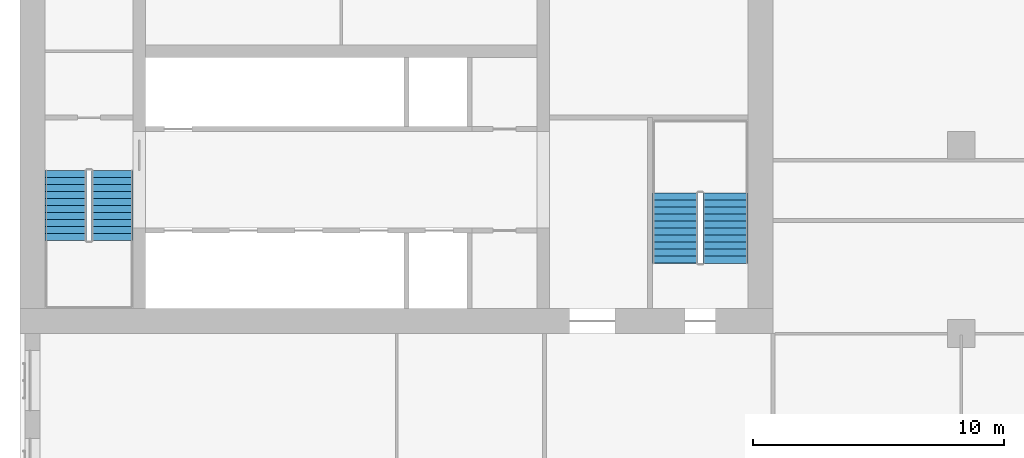
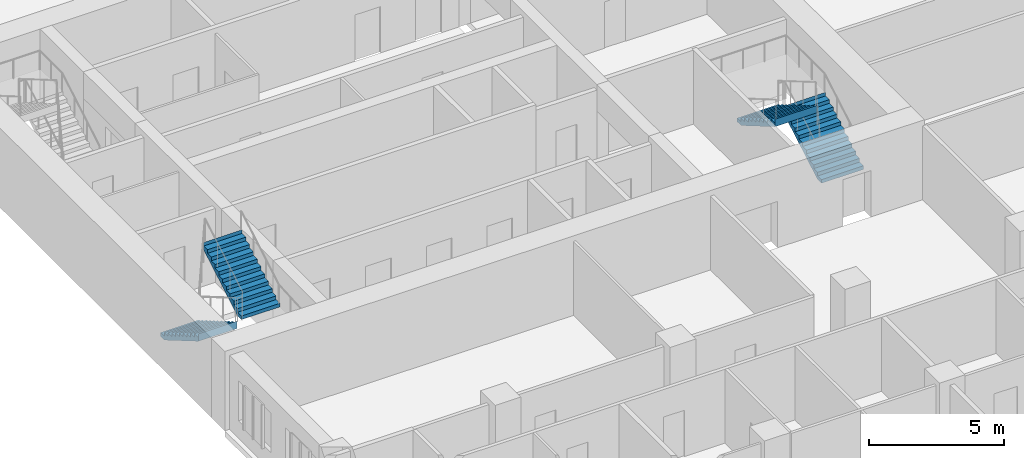
# One storey, part 12 of 14: 4 stair flights, 2 elements without a shape of their own.
"""IFC4 building model written with IfcOpenShell, lengths in metres."""

from ifc_helpers import new_model, si_unit, direction, frame, origin, place, context, subcontext, project, spatial, polyline, outline, extrude, material, type_object, element, aggregate, save


model = new_model("IFC4")

# Units and contexts
model_context = context("Model", 3, precision=1e-05, world=origin(), true_north=direction((0.0, 1.0)))
body_context = subcontext(model_context, "Body", "Model", "MODEL_VIEW")
ifc_project = project(units=[si_unit("LENGTHUNIT", "METRE"), si_unit("AREAUNIT", "SQUARE_METRE"), si_unit("VOLUMEUNIT", "CUBIC_METRE"), si_unit("PLANEANGLEUNIT", "RADIAN"), si_unit("MASSUNIT", "GRAM", prefix="KILO")], contexts=[model_context])

# Site, building, storey
site_placement = place(None, origin())
site = spatial("IfcSite", under=ifc_project, at=site_placement, CompositionType="ELEMENT")
building_placement = place(site_placement, origin())
building = spatial("IfcBuilding", under=site, at=building_placement, Name="Tamorin Gate", CompositionType="ELEMENT")
storey_placement = place(building_placement, frame((0.0, 0.0, 107.89990234375)))
storey = spatial("IfcBuildingStorey", under=building, at=storey_placement, Name="L26", CompositionType="ELEMENT", Elevation=107.89990234375)

# Stair, stair flights
ifc_material = material(Name="Concrete C40/50", Category="concrete")
stair_type = type_object("IfcStairType", Name="Exit stair", PredefinedType="HALF_TURN_STAIR", material=ifc_material)
stair_1_placement = place(storey_placement, origin())
stair_1 = element("IfcStair", 1, at=stair_1_placement, inside=storey, type_object=stair_type, Name="L26 stair ST1", PredefinedType="HALF_TURN_STAIR")
stair_flight_type = type_object("IfcStairFlightType", Name="Exit stair flight", PredefinedType="STRAIGHT", material=ifc_material)
stair_flight_1_placement = place(storey_placement, frame((31.824951171875, 66.5, 0.0), z_axis=(0.0, 0.0, 1.0), x_axis=(0.0, -1.0, 0.0)))
stair_flight_1 = element("IfcStairFlight", 2, at=stair_flight_1_placement, type_object=stair_flight_type, Name="ST1 flight 1", NumberOfRisers=11, NumberOfTreads=10, PredefinedType="STRAIGHT", RiserHeight=0.163636364, TreadLength=0.28, context=body_context, shape_type="SweptSolid", body=[
    extrude(outline(polyline([(-0.00048828125, 0.0), (-0.00048828125, 0.001708984375), (-0.00048828125, 0.003173828125), (-0.00048828125, 0.0048828125), (-0.00048828125, 0.006591796875), (-0.00048828125, 0.008056640625), (-0.00048828125, 0.009765625), (-0.00048828125, 0.01123046875), (-0.00048828125, 0.012939453125), (-0.00048828125, 0.0146484375), (-0.00048828125, 0.01611328125), (-0.00048828125, 0.017822265625), (-0.00048828125, 0.01953125), (-0.00048828125, 0.02099609375), (-0.00048828125, 0.022705078125), (-0.00048828125, 0.0244140625), (-0.00048828125, 0.02587890625), (-0.00048828125, 0.027587890625), (-0.00048828125, 0.029052734375), (-0.00048828125, 0.03076171875), (-0.00048828125, 0.032470703125), (-0.00048828125, 0.033935546875), (-0.00048828125, 0.03564453125), (-0.00048828125, 0.037353515625), (-0.00048828125, 0.038818359375), (-0.00048828125, 0.04052734375), (-0.00048828125, 0.042236328125), (-0.00048828125, 0.043701171875), (-0.00048828125, 0.04541015625), (-0.00048828125, 0.046875), (-0.00048828125, 0.048583984375), (-0.00048828125, 0.05029296875), (-0.00048828125, 0.0517578125), (-0.00048828125, 0.053466796875), (-0.00048828125, 0.05517578125), (-0.00048828125, 0.056640625), (-0.00048828125, 0.058349609375), (-0.00048828125, 0.06005859375), (-0.00048828125, 0.0615234375), (-0.00048828125, 0.063232421875), (-0.00048828125, 0.064697265625), (-0.00048828125, 0.06640625), (-0.00048828125, 0.068115234375), (-0.00048828125, 0.069580078125), (-0.00048828125, 0.0712890625), (-0.00048828125, 0.072998046875), (-0.00048828125, 0.074462890625), (-0.00048828125, 0.076171875), (-0.00048828125, 0.077880859375), (-0.00048828125, 0.079345703125), (-0.00048828125, 0.0810546875), (-0.00048828125, 0.08251953125), (-0.00048828125, 0.084228515625), (-0.00048828125, 0.0859375), (-0.00048828125, 0.08740234375), (-0.00048828125, 0.089111328125), (-0.00048828125, 0.0908203125), (-0.00048828125, 0.09228515625), (-0.00048828125, 0.093994140625), (-0.00048828125, 0.095703125), (-0.00048828125, 0.09716796875), (-0.00048828125, 0.098876953125), (-0.00048828125, 0.100341796875), (-0.00048828125, 0.10205078125), (-0.00048828125, 0.103759765625), (-0.00048828125, 0.105224609375), (-0.00048828125, 0.10693359375), (-0.00048828125, 0.108642578125), (-0.00048828125, 0.110107421875), (-0.00048828125, 0.11181640625), (-0.00048828125, 0.113525390625), (-0.00048828125, 0.114990234375), (-0.00048828125, 0.11669921875), (-0.00048828125, 0.1181640625), (-0.00048828125, 0.119873046875), (-0.00048828125, 0.12158203125), (-0.00048828125, 0.123046875), (-0.00048828125, 0.124755859375), (-0.00048828125, 0.12646484375), (-0.00048828125, 0.1279296875), (-0.00048828125, 0.129638671875), (-0.00048828125, 0.13134765625), (-0.00048828125, 0.1328125), (-0.00048828125, 0.134521484375), (-0.00048828125, 0.135986328125), (-0.00048828125, 0.1376953125), (-0.00048828125, 0.139404296875), (-0.00048828125, 0.140869140625), (-0.00048828125, 0.142578125), (-0.00048828125, 0.144287109375), (-0.00048828125, 0.145751953125), (-0.00048828125, 0.1474609375), (-0.00048828125, 0.149169921875), (-0.00048828125, 0.150634765625), (-0.00048828125, 0.15234375), (-0.00048828125, 0.15380859375), (-0.00048828125, 0.155517578125), (-0.00048828125, 0.1572265625), (-0.00048828125, 0.15869140625), (-0.00048828125, 0.160400390625), (-0.00048828125, 0.162109375), (-0.00048828125, 0.16357421875), (0.280029296875, 0.16357421875), (0.280029296875, 0.327392578125), (0.56005859375, 0.327392578125), (0.56005859375, 0.490966796875), (0.840087890625, 0.490966796875), (0.840087890625, 0.654541015625), (1.1201171875, 0.654541015625), (1.1201171875, 0.818115234375), (1.39990234375, 0.818115234375), (1.39990234375, 0.98193359375), (1.679931640625, 0.98193359375), (1.679931640625, 1.1455078125), (1.9599609375, 1.1455078125), (1.9599609375, 1.30908203125), (2.239990234375, 1.30908203125), (2.239990234375, 1.47265625), (2.52001953125, 1.47265625), (2.52001953125, 1.636474609375), (2.800048828125, 1.636474609375), (2.800048828125, 1.800048828125), (2.800537109375, 1.800048828125), (2.800537109375, 1.796630859375), (2.800537109375, 1.793212890625), (2.800537109375, 1.7900390625), (2.800537109375, 1.78662109375), (2.800537109375, 1.783203125), (2.800537109375, 1.780029296875), (2.800537109375, 1.776611328125), (2.800537109375, 1.773193359375), (2.800537109375, 1.77001953125), (2.800537109375, 1.7666015625), (2.800537109375, 1.76318359375), (2.800537109375, 1.760009765625), (2.800537109375, 1.756591796875), (2.800537109375, 1.753173828125), (2.800537109375, 1.75), (2.800537109375, 1.74658203125), (2.800537109375, 1.7431640625), (2.800537109375, 1.739990234375), (2.800537109375, 1.736572265625), (2.800537109375, 1.733154296875), (2.800537109375, 1.72998046875), (2.800537109375, 1.7265625), (2.800537109375, 1.72314453125), (2.800537109375, 1.719970703125), (2.800537109375, 1.716552734375), (2.800537109375, 1.713134765625), (2.800537109375, 1.7099609375), (2.800537109375, 1.70654296875), (2.800537109375, 1.703125), (2.800537109375, 1.69970703125), (2.800537109375, 1.696533203125), (2.800537109375, 1.693115234375), (2.800537109375, 1.689697265625), (2.800537109375, 1.6865234375), (2.800537109375, 1.68310546875), (2.800537109375, 1.6796875), (2.800537109375, 1.676513671875), (2.800537109375, 1.673095703125), (2.800537109375, 1.669677734375), (2.800537109375, 1.66650390625), (2.800537109375, 1.6630859375), (2.800537109375, 1.65966796875), (2.800537109375, 1.656494140625), (2.800537109375, 1.653076171875), (2.800537109375, 1.649658203125), (2.800537109375, 1.646484375), (2.800537109375, 1.64306640625), (2.800537109375, 1.6396484375), (2.800537109375, 1.636474609375), (2.800537109375, 1.633056640625), (2.800537109375, 1.629638671875), (2.800537109375, 1.62646484375), (2.800537109375, 1.623046875), (2.800537109375, 1.61962890625), (2.800537109375, 1.616455078125), (2.800537109375, 1.613037109375), (2.800537109375, 1.609619140625), (2.800537109375, 1.6064453125), (2.800537109375, 1.60302734375), (2.800537109375, 1.599609375), (2.800537109375, 1.59619140625), (2.800537109375, 1.593017578125), (2.800537109375, 1.589599609375), (2.800537109375, 1.586181640625), (2.800537109375, 1.5830078125), (2.800537109375, 1.57958984375), (2.800537109375, 1.576171875), (2.800537109375, 1.572998046875), (2.800537109375, 1.569580078125), (2.800537109375, 1.566162109375), (2.800537109375, 1.56298828125), (2.800537109375, 1.5595703125), (2.800537109375, 1.55615234375), (2.800537109375, 1.552978515625), (2.800537109375, 1.549560546875), (2.800537109375, 1.546142578125), (2.800537109375, 1.54296875), (2.800537109375, 1.53955078125), (2.800537109375, 1.5361328125), (2.800537109375, 1.532958984375), (2.800537109375, 1.529541015625), (2.800537109375, 1.526123046875), (2.800537109375, 1.52294921875), (2.800537109375, 1.51953125), (2.800537109375, 1.51611328125), (2.800537109375, 1.512939453125), (2.800537109375, 1.509521484375), (2.800537109375, 1.506103515625), (2.800537109375, 1.5029296875), (2.800537109375, 1.49951171875), (2.800537109375, 1.49609375), (2.800537109375, 1.49267578125), (2.800537109375, 1.489501953125), (2.800537109375, 1.486083984375), (2.800537109375, 1.482666015625), (2.800537109375, 1.4794921875), (2.800537109375, 1.47607421875), (2.800537109375, 1.47265625), (2.800537109375, 1.469482421875), (2.800537109375, 1.466064453125), (2.800537109375, 1.462646484375), (2.800048828125, 1.462646484375), (0.297119140625, 0.0), (-0.00048828125, 0.0)])), frame((0.0, 0.824951171875, 0.0), z_axis=(0.0, -1.0, 0.0), x_axis=(1.0, 0.0, 0.0)), (0.0, 0.0, 1.0), 1.64990234375),
])
stair_flight_2_placement = place(storey_placement, frame((33.675048828125, 63.699951171875, 1.800048828125), z_axis=(0.0, 0.0, 1.0), x_axis=(0.0, 1.0, 0.0)))
stair_flight_2 = element("IfcStairFlight", 3, at=stair_flight_2_placement, type_object=stair_flight_type, Name="ST1 flight 2", NumberOfRisers=11, NumberOfTreads=10, PredefinedType="STRAIGHT", RiserHeight=0.163636364, TreadLength=0.28, context=body_context, shape_type="SweptSolid", body=[
    extrude(outline(polyline([(-0.00048828125, 0.0), (-0.00048828125, 0.001708984375), (-0.00048828125, 0.003173828125), (-0.00048828125, 0.0048828125), (-0.00048828125, 0.006591796875), (-0.00048828125, 0.008056640625), (-0.00048828125, 0.009765625), (-0.00048828125, 0.01123046875), (-0.00048828125, 0.012939453125), (-0.00048828125, 0.0146484375), (-0.00048828125, 0.01611328125), (-0.00048828125, 0.017822265625), (-0.00048828125, 0.01953125), (-0.00048828125, 0.02099609375), (-0.00048828125, 0.022705078125), (-0.00048828125, 0.0244140625), (-0.00048828125, 0.02587890625), (-0.00048828125, 0.027587890625), (-0.00048828125, 0.029052734375), (-0.00048828125, 0.03076171875), (-0.00048828125, 0.032470703125), (-0.00048828125, 0.033935546875), (-0.00048828125, 0.03564453125), (-0.00048828125, 0.037353515625), (-0.00048828125, 0.038818359375), (-0.00048828125, 0.04052734375), (-0.00048828125, 0.042236328125), (-0.00048828125, 0.043701171875), (-0.00048828125, 0.04541015625), (-0.00048828125, 0.046875), (-0.00048828125, 0.048583984375), (-0.00048828125, 0.05029296875), (-0.00048828125, 0.0517578125), (-0.00048828125, 0.053466796875), (-0.00048828125, 0.05517578125), (-0.00048828125, 0.056640625), (-0.00048828125, 0.058349609375), (-0.00048828125, 0.06005859375), (-0.00048828125, 0.0615234375), (-0.00048828125, 0.063232421875), (-0.00048828125, 0.064697265625), (-0.00048828125, 0.06640625), (-0.00048828125, 0.068115234375), (-0.00048828125, 0.069580078125), (-0.00048828125, 0.0712890625), (-0.00048828125, 0.072998046875), (-0.00048828125, 0.074462890625), (-0.00048828125, 0.076171875), (-0.00048828125, 0.077880859375), (-0.00048828125, 0.079345703125), (-0.00048828125, 0.0810546875), (-0.00048828125, 0.08251953125), (-0.00048828125, 0.084228515625), (-0.00048828125, 0.0859375), (-0.00048828125, 0.08740234375), (-0.00048828125, 0.089111328125), (-0.00048828125, 0.0908203125), (-0.00048828125, 0.09228515625), (-0.00048828125, 0.093994140625), (-0.00048828125, 0.095703125), (-0.00048828125, 0.09716796875), (-0.00048828125, 0.098876953125), (-0.00048828125, 0.100341796875), (-0.00048828125, 0.10205078125), (-0.00048828125, 0.103759765625), (-0.00048828125, 0.105224609375), (-0.00048828125, 0.10693359375), (-0.00048828125, 0.108642578125), (-0.00048828125, 0.110107421875), (-0.00048828125, 0.11181640625), (-0.00048828125, 0.113525390625), (-0.00048828125, 0.114990234375), (-0.00048828125, 0.11669921875), (-0.00048828125, 0.1181640625), (-0.00048828125, 0.119873046875), (-0.00048828125, 0.12158203125), (-0.00048828125, 0.123046875), (-0.00048828125, 0.124755859375), (-0.00048828125, 0.12646484375), (-0.00048828125, 0.1279296875), (-0.00048828125, 0.129638671875), (-0.00048828125, 0.13134765625), (-0.00048828125, 0.1328125), (-0.00048828125, 0.134521484375), (-0.00048828125, 0.135986328125), (-0.00048828125, 0.1376953125), (-0.00048828125, 0.139404296875), (-0.00048828125, 0.140869140625), (-0.00048828125, 0.142578125), (-0.00048828125, 0.144287109375), (-0.00048828125, 0.145751953125), (-0.00048828125, 0.1474609375), (-0.00048828125, 0.149169921875), (-0.00048828125, 0.150634765625), (-0.00048828125, 0.15234375), (-0.00048828125, 0.15380859375), (-0.00048828125, 0.155517578125), (-0.00048828125, 0.1572265625), (-0.00048828125, 0.15869140625), (-0.00048828125, 0.160400390625), (-0.00048828125, 0.162109375), (-0.00048828125, 0.16357421875), (0.280029296875, 0.16357421875), (0.280029296875, 0.327392578125), (0.56005859375, 0.327392578125), (0.56005859375, 0.490966796875), (0.840087890625, 0.490966796875), (0.840087890625, 0.654541015625), (1.1201171875, 0.654541015625), (1.1201171875, 0.818115234375), (1.39990234375, 0.818115234375), (1.39990234375, 0.98193359375), (1.679931640625, 0.98193359375), (1.679931640625, 1.1455078125), (1.9599609375, 1.1455078125), (1.9599609375, 1.30908203125), (2.239990234375, 1.30908203125), (2.239990234375, 1.47265625), (2.52001953125, 1.47265625), (2.52001953125, 1.636474609375), (2.800048828125, 1.636474609375), (2.800048828125, 1.800048828125), (2.800537109375, 1.800048828125), (2.800537109375, 1.796630859375), (2.800537109375, 1.793212890625), (2.800537109375, 1.7900390625), (2.800537109375, 1.78662109375), (2.800537109375, 1.783203125), (2.800537109375, 1.780029296875), (2.800537109375, 1.776611328125), (2.800537109375, 1.773193359375), (2.800537109375, 1.77001953125), (2.800537109375, 1.7666015625), (2.800537109375, 1.76318359375), (2.800537109375, 1.760009765625), (2.800537109375, 1.756591796875), (2.800537109375, 1.753173828125), (2.800537109375, 1.75), (2.800537109375, 1.74658203125), (2.800537109375, 1.7431640625), (2.800537109375, 1.739990234375), (2.800537109375, 1.736572265625), (2.800537109375, 1.733154296875), (2.800537109375, 1.72998046875), (2.800537109375, 1.7265625), (2.800537109375, 1.72314453125), (2.800537109375, 1.719970703125), (2.800537109375, 1.716552734375), (2.800537109375, 1.713134765625), (2.800537109375, 1.7099609375), (2.800537109375, 1.70654296875), (2.800537109375, 1.703125), (2.800537109375, 1.69970703125), (2.800537109375, 1.696533203125), (2.800537109375, 1.693115234375), (2.800537109375, 1.689697265625), (2.800537109375, 1.6865234375), (2.800537109375, 1.68310546875), (2.800537109375, 1.6796875), (2.800537109375, 1.676513671875), (2.800537109375, 1.673095703125), (2.800537109375, 1.669677734375), (2.800537109375, 1.66650390625), (2.800537109375, 1.6630859375), (2.800537109375, 1.65966796875), (2.800537109375, 1.656494140625), (2.800537109375, 1.653076171875), (2.800537109375, 1.649658203125), (2.800537109375, 1.646484375), (2.800537109375, 1.64306640625), (2.800537109375, 1.6396484375), (2.800537109375, 1.636474609375), (2.800537109375, 1.633056640625), (2.800537109375, 1.629638671875), (2.800537109375, 1.62646484375), (2.800537109375, 1.623046875), (2.800537109375, 1.61962890625), (2.800537109375, 1.616455078125), (2.800537109375, 1.613037109375), (2.800537109375, 1.609619140625), (2.800537109375, 1.6064453125), (2.800537109375, 1.60302734375), (2.800537109375, 1.599609375), (2.800537109375, 1.59619140625), (2.800537109375, 1.593017578125), (2.800537109375, 1.589599609375), (2.800537109375, 1.586181640625), (2.800537109375, 1.5830078125), (2.800537109375, 1.57958984375), (2.800537109375, 1.576171875), (2.800537109375, 1.572998046875), (2.800537109375, 1.569580078125), (2.800537109375, 1.566162109375), (2.800537109375, 1.56298828125), (2.800537109375, 1.5595703125), (2.800537109375, 1.55615234375), (2.800537109375, 1.552978515625), (2.800537109375, 1.549560546875), (2.800537109375, 1.546142578125), (2.800537109375, 1.54296875), (2.800537109375, 1.53955078125), (2.800537109375, 1.5361328125), (2.800537109375, 1.532958984375), (2.800537109375, 1.529541015625), (2.800537109375, 1.526123046875), (2.800537109375, 1.52294921875), (2.800537109375, 1.51953125), (2.800537109375, 1.51611328125), (2.800537109375, 1.512939453125), (2.800537109375, 1.509521484375), (2.800537109375, 1.506103515625), (2.800537109375, 1.5029296875), (2.800537109375, 1.49951171875), (2.800537109375, 1.49609375), (2.800537109375, 1.49267578125), (2.800537109375, 1.489501953125), (2.800537109375, 1.486083984375), (2.800537109375, 1.482666015625), (2.800537109375, 1.4794921875), (2.800537109375, 1.47607421875), (2.800537109375, 1.47265625), (2.800537109375, 1.469482421875), (2.800537109375, 1.466064453125), (2.800537109375, 1.462646484375), (2.800048828125, 1.462646484375), (0.297119140625, 0.0), (-0.00048828125, 0.0)])), frame((0.0, 0.824951171875, 0.0), z_axis=(0.0, -1.0, 0.0), x_axis=(1.0, 0.0, 0.0)), (0.0, 0.0, 1.0), 1.64990234375),
])
aggregate(stair_1, [stair_flight_1, stair_flight_2])

stair_2_placement = place(storey_placement, origin())
stair_2 = element("IfcStair", 4, at=stair_2_placement, inside=storey, type_object=stair_type, Name="L26 stair ST3", PredefinedType="HALF_TURN_STAIR")
stair_flight_3_placement = place(storey_placement, frame((58.10009765625, 62.800048828125, 0.0), z_axis=(0.0, 0.0, 1.0), x_axis=(0.0, 1.0, 0.0)))
stair_flight_3 = element("IfcStairFlight", 5, at=stair_flight_3_placement, type_object=stair_flight_type, Name="ST3 flight 1", NumberOfRisers=11, NumberOfTreads=10, PredefinedType="STRAIGHT", RiserHeight=0.163636364, TreadLength=0.28, context=body_context, shape_type="SweptSolid", body=[
    extrude(outline(polyline([(-0.00048828125, 0.0), (-0.00048828125, 0.001708984375), (-0.00048828125, 0.003173828125), (-0.00048828125, 0.0048828125), (-0.00048828125, 0.006591796875), (-0.00048828125, 0.008056640625), (-0.00048828125, 0.009765625), (-0.00048828125, 0.01123046875), (-0.00048828125, 0.012939453125), (-0.00048828125, 0.0146484375), (-0.00048828125, 0.01611328125), (-0.00048828125, 0.017822265625), (-0.00048828125, 0.01953125), (-0.00048828125, 0.02099609375), (-0.00048828125, 0.022705078125), (-0.00048828125, 0.0244140625), (-0.00048828125, 0.02587890625), (-0.00048828125, 0.027587890625), (-0.00048828125, 0.029052734375), (-0.00048828125, 0.03076171875), (-0.00048828125, 0.032470703125), (-0.00048828125, 0.033935546875), (-0.00048828125, 0.03564453125), (-0.00048828125, 0.037353515625), (-0.00048828125, 0.038818359375), (-0.00048828125, 0.04052734375), (-0.00048828125, 0.042236328125), (-0.00048828125, 0.043701171875), (-0.00048828125, 0.04541015625), (-0.00048828125, 0.046875), (-0.00048828125, 0.048583984375), (-0.00048828125, 0.05029296875), (-0.00048828125, 0.0517578125), (-0.00048828125, 0.053466796875), (-0.00048828125, 0.05517578125), (-0.00048828125, 0.056640625), (-0.00048828125, 0.058349609375), (-0.00048828125, 0.06005859375), (-0.00048828125, 0.0615234375), (-0.00048828125, 0.063232421875), (-0.00048828125, 0.064697265625), (-0.00048828125, 0.06640625), (-0.00048828125, 0.068115234375), (-0.00048828125, 0.069580078125), (-0.00048828125, 0.0712890625), (-0.00048828125, 0.072998046875), (-0.00048828125, 0.074462890625), (-0.00048828125, 0.076171875), (-0.00048828125, 0.077880859375), (-0.00048828125, 0.079345703125), (-0.00048828125, 0.0810546875), (-0.00048828125, 0.08251953125), (-0.00048828125, 0.084228515625), (-0.00048828125, 0.0859375), (-0.00048828125, 0.08740234375), (-0.00048828125, 0.089111328125), (-0.00048828125, 0.0908203125), (-0.00048828125, 0.09228515625), (-0.00048828125, 0.093994140625), (-0.00048828125, 0.095703125), (-0.00048828125, 0.09716796875), (-0.00048828125, 0.098876953125), (-0.00048828125, 0.100341796875), (-0.00048828125, 0.10205078125), (-0.00048828125, 0.103759765625), (-0.00048828125, 0.105224609375), (-0.00048828125, 0.10693359375), (-0.00048828125, 0.108642578125), (-0.00048828125, 0.110107421875), (-0.00048828125, 0.11181640625), (-0.00048828125, 0.113525390625), (-0.00048828125, 0.114990234375), (-0.00048828125, 0.11669921875), (-0.00048828125, 0.1181640625), (-0.00048828125, 0.119873046875), (-0.00048828125, 0.12158203125), (-0.00048828125, 0.123046875), (-0.00048828125, 0.124755859375), (-0.00048828125, 0.12646484375), (-0.00048828125, 0.1279296875), (-0.00048828125, 0.129638671875), (-0.00048828125, 0.13134765625), (-0.00048828125, 0.1328125), (-0.00048828125, 0.134521484375), (-0.00048828125, 0.135986328125), (-0.00048828125, 0.1376953125), (-0.00048828125, 0.139404296875), (-0.00048828125, 0.140869140625), (-0.00048828125, 0.142578125), (-0.00048828125, 0.144287109375), (-0.00048828125, 0.145751953125), (-0.00048828125, 0.1474609375), (-0.00048828125, 0.149169921875), (-0.00048828125, 0.150634765625), (-0.00048828125, 0.15234375), (-0.00048828125, 0.15380859375), (-0.00048828125, 0.155517578125), (-0.00048828125, 0.1572265625), (-0.00048828125, 0.15869140625), (-0.00048828125, 0.160400390625), (-0.00048828125, 0.162109375), (-0.00048828125, 0.16357421875), (0.280029296875, 0.16357421875), (0.280029296875, 0.327392578125), (0.56005859375, 0.327392578125), (0.56005859375, 0.490966796875), (0.840087890625, 0.490966796875), (0.840087890625, 0.654541015625), (1.1201171875, 0.654541015625), (1.1201171875, 0.818115234375), (1.39990234375, 0.818115234375), (1.39990234375, 0.98193359375), (1.679931640625, 0.98193359375), (1.679931640625, 1.1455078125), (1.9599609375, 1.1455078125), (1.9599609375, 1.30908203125), (2.239990234375, 1.30908203125), (2.239990234375, 1.47265625), (2.52001953125, 1.47265625), (2.52001953125, 1.636474609375), (2.800048828125, 1.636474609375), (2.800048828125, 1.800048828125), (2.800537109375, 1.800048828125), (2.800537109375, 1.796630859375), (2.800537109375, 1.793212890625), (2.800537109375, 1.7900390625), (2.800537109375, 1.78662109375), (2.800537109375, 1.783203125), (2.800537109375, 1.780029296875), (2.800537109375, 1.776611328125), (2.800537109375, 1.773193359375), (2.800537109375, 1.77001953125), (2.800537109375, 1.7666015625), (2.800537109375, 1.76318359375), (2.800537109375, 1.760009765625), (2.800537109375, 1.756591796875), (2.800537109375, 1.753173828125), (2.800537109375, 1.75), (2.800537109375, 1.74658203125), (2.800537109375, 1.7431640625), (2.800537109375, 1.739990234375), (2.800537109375, 1.736572265625), (2.800537109375, 1.733154296875), (2.800537109375, 1.72998046875), (2.800537109375, 1.7265625), (2.800537109375, 1.72314453125), (2.800537109375, 1.719970703125), (2.800537109375, 1.716552734375), (2.800537109375, 1.713134765625), (2.800537109375, 1.7099609375), (2.800537109375, 1.70654296875), (2.800537109375, 1.703125), (2.800537109375, 1.69970703125), (2.800537109375, 1.696533203125), (2.800537109375, 1.693115234375), (2.800537109375, 1.689697265625), (2.800537109375, 1.6865234375), (2.800537109375, 1.68310546875), (2.800537109375, 1.6796875), (2.800537109375, 1.676513671875), (2.800537109375, 1.673095703125), (2.800537109375, 1.669677734375), (2.800537109375, 1.66650390625), (2.800537109375, 1.6630859375), (2.800537109375, 1.65966796875), (2.800537109375, 1.656494140625), (2.800537109375, 1.653076171875), (2.800537109375, 1.649658203125), (2.800537109375, 1.646484375), (2.800537109375, 1.64306640625), (2.800537109375, 1.6396484375), (2.800537109375, 1.636474609375), (2.800537109375, 1.633056640625), (2.800537109375, 1.629638671875), (2.800537109375, 1.62646484375), (2.800537109375, 1.623046875), (2.800537109375, 1.61962890625), (2.800537109375, 1.616455078125), (2.800537109375, 1.613037109375), (2.800537109375, 1.609619140625), (2.800537109375, 1.6064453125), (2.800537109375, 1.60302734375), (2.800537109375, 1.599609375), (2.800537109375, 1.59619140625), (2.800537109375, 1.593017578125), (2.800537109375, 1.589599609375), (2.800537109375, 1.586181640625), (2.800537109375, 1.5830078125), (2.800537109375, 1.57958984375), (2.800537109375, 1.576171875), (2.800537109375, 1.572998046875), (2.800537109375, 1.569580078125), (2.800537109375, 1.566162109375), (2.800537109375, 1.56298828125), (2.800537109375, 1.5595703125), (2.800537109375, 1.55615234375), (2.800537109375, 1.552978515625), (2.800537109375, 1.549560546875), (2.800537109375, 1.546142578125), (2.800537109375, 1.54296875), (2.800537109375, 1.53955078125), (2.800537109375, 1.5361328125), (2.800537109375, 1.532958984375), (2.800537109375, 1.529541015625), (2.800537109375, 1.526123046875), (2.800537109375, 1.52294921875), (2.800537109375, 1.51953125), (2.800537109375, 1.51611328125), (2.800537109375, 1.512939453125), (2.800537109375, 1.509521484375), (2.800537109375, 1.506103515625), (2.800537109375, 1.5029296875), (2.800537109375, 1.49951171875), (2.800537109375, 1.49609375), (2.800537109375, 1.49267578125), (2.800537109375, 1.489501953125), (2.800537109375, 1.486083984375), (2.800537109375, 1.482666015625), (2.800537109375, 1.4794921875), (2.800537109375, 1.47607421875), (2.800537109375, 1.47265625), (2.800537109375, 1.469482421875), (2.800537109375, 1.466064453125), (2.800537109375, 1.462646484375), (2.800048828125, 1.462646484375), (0.297119140625, 0.0), (-0.00048828125, 0.0)])), frame((0.0, 0.89990234375, 0.0), z_axis=(0.0, -1.0, 0.0), x_axis=(1.0, 0.0, 0.0)), (0.0, 0.0, 1.0), 1.800048828125),
])
stair_flight_4_placement = place(storey_placement, frame((56.10009765625, 65.60009765625, 1.800048828125), z_axis=(0.0, 0.0, 1.0), x_axis=(0.0, -1.0, 0.0)))
stair_flight_4 = element("IfcStairFlight", 6, at=stair_flight_4_placement, type_object=stair_flight_type, Name="ST3 flight 2", NumberOfRisers=11, NumberOfTreads=10, PredefinedType="STRAIGHT", RiserHeight=0.163636364, TreadLength=0.28, context=body_context, shape_type="SweptSolid", body=[
    extrude(outline(polyline([(-0.00048828125, 0.0), (-0.00048828125, 0.001708984375), (-0.00048828125, 0.003173828125), (-0.00048828125, 0.0048828125), (-0.00048828125, 0.006591796875), (-0.00048828125, 0.008056640625), (-0.00048828125, 0.009765625), (-0.00048828125, 0.01123046875), (-0.00048828125, 0.012939453125), (-0.00048828125, 0.0146484375), (-0.00048828125, 0.01611328125), (-0.00048828125, 0.017822265625), (-0.00048828125, 0.01953125), (-0.00048828125, 0.02099609375), (-0.00048828125, 0.022705078125), (-0.00048828125, 0.0244140625), (-0.00048828125, 0.02587890625), (-0.00048828125, 0.027587890625), (-0.00048828125, 0.029052734375), (-0.00048828125, 0.03076171875), (-0.00048828125, 0.032470703125), (-0.00048828125, 0.033935546875), (-0.00048828125, 0.03564453125), (-0.00048828125, 0.037353515625), (-0.00048828125, 0.038818359375), (-0.00048828125, 0.04052734375), (-0.00048828125, 0.042236328125), (-0.00048828125, 0.043701171875), (-0.00048828125, 0.04541015625), (-0.00048828125, 0.046875), (-0.00048828125, 0.048583984375), (-0.00048828125, 0.05029296875), (-0.00048828125, 0.0517578125), (-0.00048828125, 0.053466796875), (-0.00048828125, 0.05517578125), (-0.00048828125, 0.056640625), (-0.00048828125, 0.058349609375), (-0.00048828125, 0.06005859375), (-0.00048828125, 0.0615234375), (-0.00048828125, 0.063232421875), (-0.00048828125, 0.064697265625), (-0.00048828125, 0.06640625), (-0.00048828125, 0.068115234375), (-0.00048828125, 0.069580078125), (-0.00048828125, 0.0712890625), (-0.00048828125, 0.072998046875), (-0.00048828125, 0.074462890625), (-0.00048828125, 0.076171875), (-0.00048828125, 0.077880859375), (-0.00048828125, 0.079345703125), (-0.00048828125, 0.0810546875), (-0.00048828125, 0.08251953125), (-0.00048828125, 0.084228515625), (-0.00048828125, 0.0859375), (-0.00048828125, 0.08740234375), (-0.00048828125, 0.089111328125), (-0.00048828125, 0.0908203125), (-0.00048828125, 0.09228515625), (-0.00048828125, 0.093994140625), (-0.00048828125, 0.095703125), (-0.00048828125, 0.09716796875), (-0.00048828125, 0.098876953125), (-0.00048828125, 0.100341796875), (-0.00048828125, 0.10205078125), (-0.00048828125, 0.103759765625), (-0.00048828125, 0.105224609375), (-0.00048828125, 0.10693359375), (-0.00048828125, 0.108642578125), (-0.00048828125, 0.110107421875), (-0.00048828125, 0.11181640625), (-0.00048828125, 0.113525390625), (-0.00048828125, 0.114990234375), (-0.00048828125, 0.11669921875), (-0.00048828125, 0.1181640625), (-0.00048828125, 0.119873046875), (-0.00048828125, 0.12158203125), (-0.00048828125, 0.123046875), (-0.00048828125, 0.124755859375), (-0.00048828125, 0.12646484375), (-0.00048828125, 0.1279296875), (-0.00048828125, 0.129638671875), (-0.00048828125, 0.13134765625), (-0.00048828125, 0.1328125), (-0.00048828125, 0.134521484375), (-0.00048828125, 0.135986328125), (-0.00048828125, 0.1376953125), (-0.00048828125, 0.139404296875), (-0.00048828125, 0.140869140625), (-0.00048828125, 0.142578125), (-0.00048828125, 0.144287109375), (-0.00048828125, 0.145751953125), (-0.00048828125, 0.1474609375), (-0.00048828125, 0.149169921875), (-0.00048828125, 0.150634765625), (-0.00048828125, 0.15234375), (-0.00048828125, 0.15380859375), (-0.00048828125, 0.155517578125), (-0.00048828125, 0.1572265625), (-0.00048828125, 0.15869140625), (-0.00048828125, 0.160400390625), (-0.00048828125, 0.162109375), (-0.00048828125, 0.16357421875), (0.280029296875, 0.16357421875), (0.280029296875, 0.327392578125), (0.56005859375, 0.327392578125), (0.56005859375, 0.490966796875), (0.840087890625, 0.490966796875), (0.840087890625, 0.654541015625), (1.1201171875, 0.654541015625), (1.1201171875, 0.818115234375), (1.39990234375, 0.818115234375), (1.39990234375, 0.98193359375), (1.679931640625, 0.98193359375), (1.679931640625, 1.1455078125), (1.9599609375, 1.1455078125), (1.9599609375, 1.30908203125), (2.239990234375, 1.30908203125), (2.239990234375, 1.47265625), (2.52001953125, 1.47265625), (2.52001953125, 1.636474609375), (2.800048828125, 1.636474609375), (2.800048828125, 1.800048828125), (2.800537109375, 1.800048828125), (2.800537109375, 1.796630859375), (2.800537109375, 1.793212890625), (2.800537109375, 1.7900390625), (2.800537109375, 1.78662109375), (2.800537109375, 1.783203125), (2.800537109375, 1.780029296875), (2.800537109375, 1.776611328125), (2.800537109375, 1.773193359375), (2.800537109375, 1.77001953125), (2.800537109375, 1.7666015625), (2.800537109375, 1.76318359375), (2.800537109375, 1.760009765625), (2.800537109375, 1.756591796875), (2.800537109375, 1.753173828125), (2.800537109375, 1.75), (2.800537109375, 1.74658203125), (2.800537109375, 1.7431640625), (2.800537109375, 1.739990234375), (2.800537109375, 1.736572265625), (2.800537109375, 1.733154296875), (2.800537109375, 1.72998046875), (2.800537109375, 1.7265625), (2.800537109375, 1.72314453125), (2.800537109375, 1.719970703125), (2.800537109375, 1.716552734375), (2.800537109375, 1.713134765625), (2.800537109375, 1.7099609375), (2.800537109375, 1.70654296875), (2.800537109375, 1.703125), (2.800537109375, 1.69970703125), (2.800537109375, 1.696533203125), (2.800537109375, 1.693115234375), (2.800537109375, 1.689697265625), (2.800537109375, 1.6865234375), (2.800537109375, 1.68310546875), (2.800537109375, 1.6796875), (2.800537109375, 1.676513671875), (2.800537109375, 1.673095703125), (2.800537109375, 1.669677734375), (2.800537109375, 1.66650390625), (2.800537109375, 1.6630859375), (2.800537109375, 1.65966796875), (2.800537109375, 1.656494140625), (2.800537109375, 1.653076171875), (2.800537109375, 1.649658203125), (2.800537109375, 1.646484375), (2.800537109375, 1.64306640625), (2.800537109375, 1.6396484375), (2.800537109375, 1.636474609375), (2.800537109375, 1.633056640625), (2.800537109375, 1.629638671875), (2.800537109375, 1.62646484375), (2.800537109375, 1.623046875), (2.800537109375, 1.61962890625), (2.800537109375, 1.616455078125), (2.800537109375, 1.613037109375), (2.800537109375, 1.609619140625), (2.800537109375, 1.6064453125), (2.800537109375, 1.60302734375), (2.800537109375, 1.599609375), (2.800537109375, 1.59619140625), (2.800537109375, 1.593017578125), (2.800537109375, 1.589599609375), (2.800537109375, 1.586181640625), (2.800537109375, 1.5830078125), (2.800537109375, 1.57958984375), (2.800537109375, 1.576171875), (2.800537109375, 1.572998046875), (2.800537109375, 1.569580078125), (2.800537109375, 1.566162109375), (2.800537109375, 1.56298828125), (2.800537109375, 1.5595703125), (2.800537109375, 1.55615234375), (2.800537109375, 1.552978515625), (2.800537109375, 1.549560546875), (2.800537109375, 1.546142578125), (2.800537109375, 1.54296875), (2.800537109375, 1.53955078125), (2.800537109375, 1.5361328125), (2.800537109375, 1.532958984375), (2.800537109375, 1.529541015625), (2.800537109375, 1.526123046875), (2.800537109375, 1.52294921875), (2.800537109375, 1.51953125), (2.800537109375, 1.51611328125), (2.800537109375, 1.512939453125), (2.800537109375, 1.509521484375), (2.800537109375, 1.506103515625), (2.800537109375, 1.5029296875), (2.800537109375, 1.49951171875), (2.800537109375, 1.49609375), (2.800537109375, 1.49267578125), (2.800537109375, 1.489501953125), (2.800537109375, 1.486083984375), (2.800537109375, 1.482666015625), (2.800537109375, 1.4794921875), (2.800537109375, 1.47607421875), (2.800537109375, 1.47265625), (2.800537109375, 1.469482421875), (2.800537109375, 1.466064453125), (2.800537109375, 1.462646484375), (2.800048828125, 1.462646484375), (0.297119140625, 0.0), (-0.00048828125, 0.0)])), frame((0.0, 0.89990234375, 0.0), z_axis=(0.0, -1.0, 0.0), x_axis=(1.0, 0.0, 0.0)), (0.0, 0.0, 1.0), 1.800048828125),
])
aggregate(stair_2, [stair_flight_3, stair_flight_4])

save(model, "model.ifc")
